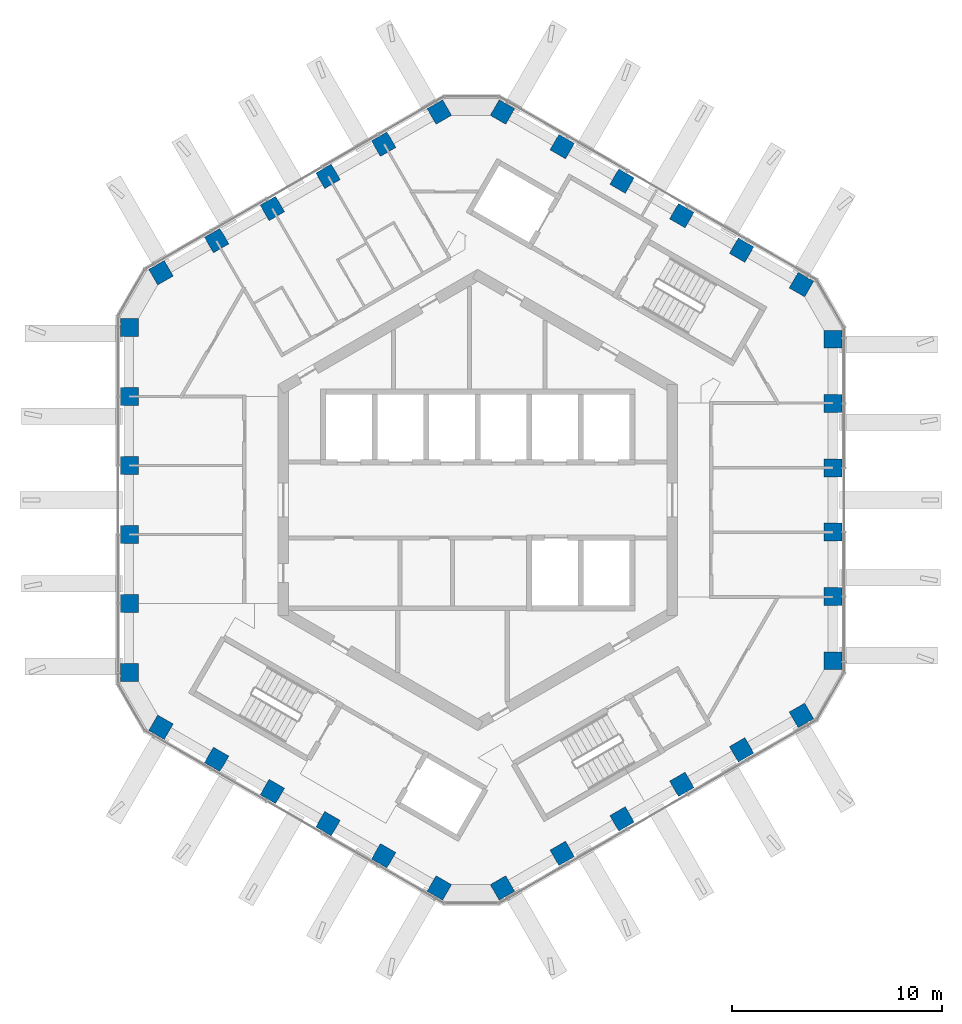
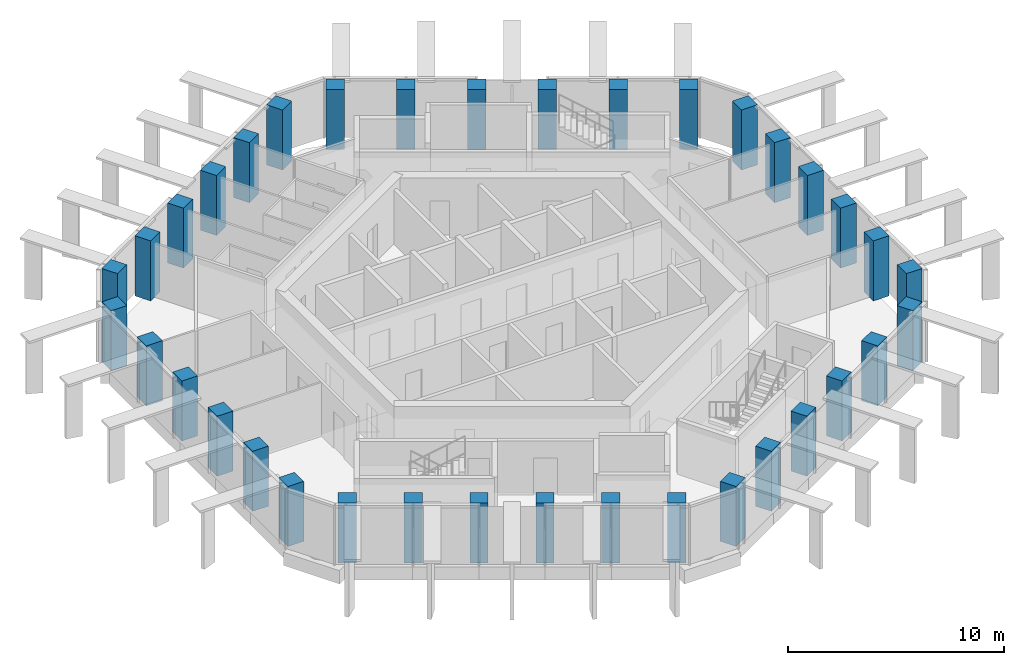
# One storey, part 1 of 19: 36 columns.
"""IFC4 building model written with IfcOpenShell, lengths in metres."""

import ifcopenshell
import ifcopenshell.guid

model = None  # the IFC model being written
_history = None  # IfcOwnerHistory: only IFC2X3 demands one
_inside = {}  # id of a spatial element -> (the spatial element, [elements in it])
_under = {}  # id of a project, library or spatial element -> (it, [spatial elements below it])
_declared = {}  # id of a project -> (the project, [libraries it declares])
_typed = {}  # id of a type object -> (the type object, [elements of that type])
_made_of = {}  # id of a material, layer set ... -> (it, [elements and type objects made of it])


def new_model(schema):
    """Start an empty IFC model of exactly this schema.

    Asked for "IFC4X3", IfcOpenShell would pick the latest addendum, in which some entities
    have other attributes; the version numbers below select the first issue.
    IFC2X3 requires an IfcOwnerHistory on every rooted entity: one is made here for all.
    """
    global model, _history
    if schema == "IFC4X3":
        model = ifcopenshell.file(schema_version=(4, 3, 0, 0))
    else:
        model = ifcopenshell.file(schema=schema)
    _inside.clear()
    _under.clear()
    _declared.clear()
    _typed.clear()
    _made_of.clear()
    _history = None
    if model.schema == "IFC2X3":
        org = make("IfcOrganization", Name="unknown")
        user = make(
            "IfcPersonAndOrganization",
            ThePerson=make("IfcPerson", FamilyName="unknown"),
            TheOrganization=org,
        )
        app = make(
            "IfcApplication",
            ApplicationDeveloper=org,
            Version="unknown",
            ApplicationFullName="unknown",
            ApplicationIdentifier="unknown",
        )
        _history = make(
            "IfcOwnerHistory",
            OwningUser=user,
            OwningApplication=app,
            ChangeAction="ADDED",
            CreationDate=0,
        )
    return model


def make(cls, **values):
    """One entity of the class cls with the attributes given. An attribute that is None is left unset."""
    return model.create_entity(
        cls, **{name: value for name, value in values.items() if value is not None}
    )


def rooted(cls, **values):
    """An entity with a GlobalId (a new one), such as an element, a storey or a relation."""
    return make(cls, GlobalId=ifcopenshell.guid.new(), OwnerHistory=_history, **values)


def si_unit(unit_type, name, prefix=None):
    """IfcSIUnit, for example si_unit("LENGTHUNIT", "METRE", prefix="MILLI")."""
    return make("IfcSIUnit", UnitType=unit_type, Prefix=prefix, Name=name)


def assignment(units):
    """IfcUnitAssignment: the units of a project."""
    return None if units is None else make("IfcUnitAssignment", Units=units)


def point(xyz):
    """IfcCartesianPoint."""
    return None if xyz is None else make("IfcCartesianPoint", Coordinates=xyz)


def direction(xyz):
    """IfcDirection."""
    return None if xyz is None else make("IfcDirection", DirectionRatios=xyz)


def frame(location, z_axis=None, x_axis=None):
    """IfcAxis2Placement3D, a coordinate frame: its origin and axes. An axis left out is left unset."""
    return make(
        "IfcAxis2Placement3D",
        Location=point(location),
        Axis=direction(z_axis),
        RefDirection=direction(x_axis),
    )


def frame_2d(location, x_axis=None):
    """IfcAxis2Placement2D, a coordinate frame in the plane: its origin and x axis."""
    return make(
        "IfcAxis2Placement2D", Location=point(location), RefDirection=direction(x_axis)
    )


def origin():
    """The frame at (0, 0, 0) with its axes left unset."""
    return frame((0.0, 0.0, 0.0))


def origin_2d():
    """The frame at (0, 0) in the plane with its x axis left unset."""
    return frame_2d((0.0, 0.0))


def place(relative_to, where):
    """IfcLocalPlacement: puts the frame where relative to a parent placement (None: the world)."""
    return make(
        "IfcLocalPlacement", PlacementRelTo=relative_to, RelativePlacement=where
    )


def context(
    kind, dimensions, precision=None, world=None, true_north=None, identifier=None
):
    """IfcGeometricRepresentationContext, for example the 3D "Model" context."""
    return make(
        "IfcGeometricRepresentationContext",
        ContextIdentifier=identifier,
        ContextType=kind,
        CoordinateSpaceDimension=dimensions,
        Precision=precision,
        WorldCoordinateSystem=world,
        TrueNorth=true_north,
    )


def subcontext(parent, identifier, kind, view, scale=None):
    """IfcGeometricRepresentationSubContext, for example "Body" below "Model"."""
    return make(
        "IfcGeometricRepresentationSubContext",
        ContextIdentifier=identifier,
        ContextType=kind,
        ParentContext=parent,
        TargetScale=scale,
        TargetView=view,
    )


def project(units=None, contexts=None):
    """IfcProject with its units and contexts."""
    return rooted(
        "IfcProject",
        Name="project",
        RepresentationContexts=contexts,
        UnitsInContext=assignment(units),
    )


def spatial(cls, under=None, at=None, **own):
    """A site, building, storey or space (cls), placed at a placement, below another one or the project."""
    s = rooted(cls, ObjectPlacement=at, **own)
    if under is not None:
        _under.setdefault(under.id(), (under, []))[1].append(s)
    return s


def profile(cls, at=None, kind="AREA", **sizes):
    """A parametric profile (cls). Its sizes go by their IFC names, for example OverallWidth=200.0."""
    return make(cls, ProfileType=kind, Position=at, **sizes)


def rectangle(**sizes):
    """IfcRectangleProfileDef."""
    return profile("IfcRectangleProfileDef", **sizes)


def extrude(swept, where, along, depth):
    """IfcExtrudedAreaSolid: the profile swept, set in the frame where, extruded along a direction by depth."""
    return make(
        "IfcExtrudedAreaSolid",
        SweptArea=swept,
        Position=where,
        ExtrudedDirection=direction(along),
        Depth=depth,
    )


def shape(context_of_items, identifier, shape_type, items):
    """IfcShapeRepresentation: the items that make up one representation, for example the "Body"."""
    return make(
        "IfcShapeRepresentation",
        ContextOfItems=context_of_items,
        RepresentationIdentifier=identifier,
        RepresentationType=shape_type,
        Items=items,
    )


def material(Name=None, Category=None):
    """IfcMaterial."""
    return make("IfcMaterial", Name=Name, Category=Category)


def material_profile(
    of_material, cross_section, Name=None, Category=None, Priority=None
):
    """IfcMaterialProfile: a cross section and its material."""
    return make(
        "IfcMaterialProfile",
        Name=Name,
        Material=of_material,
        Profile=cross_section,
        Priority=Priority,
        Category=Category,
    )


def profile_set(profiles, Name=None, composite=None):
    """IfcMaterialProfileSet."""
    return make(
        "IfcMaterialProfileSet",
        Name=Name,
        MaterialProfiles=profiles,
        CompositeProfile=composite,
    )


def made_of(thing, what):
    """Note that an element or type object is made of a material, layer set ...; save() writes the relation."""
    if what is not None:
        _made_of.setdefault(what.id(), (what, []))[1].append(thing)
    return thing


def type_object(cls, material=None, **own):
    """A type object (cls), such as IfcWallType, which elements share."""
    return made_of(rooted(cls, **own), material)


def element(
    cls,
    number,
    at=None,
    inside=None,
    cuts=None,
    type_object=None,
    material=None,
    context=None,
    identifier="Body",
    shape_type=None,
    held_by="IfcProductDefinitionShape",
    body=None,
    shapes=None,
    **own,
):
    """One element of the class cls, such as IfcWall. Its Tag is "e" and its number.

    at: its placement. inside: the storey or other place that contains it. cuts: it is an
    opening in that element (IfcRelVoidsElement). A single representation is given by context,
    identifier, shape_type and body (its items); several are given by shapes. held_by: the class
    of the entity that holds the representations. save() writes the other relations.
    """
    e = rooted(cls, Tag="e%d" % number, ObjectPlacement=at, **own)
    if body is not None:
        shapes = [shape(context, identifier, shape_type, body)]
    if shapes is not None:
        e.Representation = make(held_by, Representations=shapes)
    if inside is not None:
        _inside.setdefault(inside.id(), (inside, []))[1].append(e)
    if cuts is not None:
        rooted(
            "IfcRelVoidsElement", RelatingBuildingElement=cuts, RelatedOpeningElement=e
        )
    if type_object is not None:
        _typed.setdefault(type_object.id(), (type_object, []))[1].append(e)
    return made_of(e, material)


def aggregate(whole, parts):
    """IfcRelAggregates: a whole, such as a stair, and the parts it consists of."""
    return rooted("IfcRelAggregates", RelatingObject=whole, RelatedObjects=parts)


def save(model, path):
    """Write the relations noted so far, then the file.

    IfcRelAggregates (storeys below a building ...), IfcRelContainedInSpatialStructure (elements
    in a storey), IfcRelDefinesByType, IfcRelAssociatesMaterial and IfcRelDeclares: one each for
    every whole, place, type object, material and project.
    """
    for whole, parts in _under.values():
        aggregate(whole, parts)
    for where, things in _inside.values():
        rooted(
            "IfcRelContainedInSpatialStructure",
            RelatedElements=things,
            RelatingStructure=where,
        )
    for kind, things in _typed.values():
        rooted("IfcRelDefinesByType", RelatedObjects=things, RelatingType=kind)
    for what, things in _made_of.values():
        rooted("IfcRelAssociatesMaterial", RelatedObjects=things, RelatingMaterial=what)
    for by, libraries in _declared.values():
        rooted("IfcRelDeclares", RelatingContext=by, RelatedDefinitions=libraries)
    model.write(path)


model = new_model("IFC4")

# Units and contexts
model_context = context("Model", 3, precision=1e-05, world=origin(), true_north=direction((0.0, 1.0)))
body_context = subcontext(model_context, "Body", "Model", "MODEL_VIEW")
ifc_project = project(units=[si_unit("LENGTHUNIT", "METRE"), si_unit("AREAUNIT", "SQUARE_METRE"), si_unit("VOLUMEUNIT", "CUBIC_METRE"), si_unit("PLANEANGLEUNIT", "RADIAN"), si_unit("MASSUNIT", "GRAM", prefix="KILO")], contexts=[model_context])

# Site, building, storey
site_placement = place(None, origin())
site = spatial("IfcSite", under=ifc_project, at=site_placement, CompositionType="ELEMENT")
building_placement = place(site_placement, origin())
building = spatial("IfcBuilding", under=site, at=building_placement, Name="Ayvan Gate Tower", CompositionType="ELEMENT")
storey_placement = place(building_placement, frame((0.0, 0.0, 235.89990234375)))
storey = spatial("IfcBuildingStorey", under=building, at=storey_placement, Name="L63", CompositionType="ELEMENT", Elevation=235.89990234375)

# Columns
ifc_material = material(Name="Concrete C50/60", Category="concrete")
ifc_material_profile = material_profile(ifc_material, rectangle(XDim=0.85009765625, YDim=0.85009765625, at=origin_2d()), Name="RC 850x850")
ifc_profile_set = profile_set([ifc_material_profile], Name="Concrete C50/60")
column_type = type_object("IfcColumnType", Name="Tube column RC 850x850 C50/60", PredefinedType="COLUMN", material=ifc_profile_set)
for number, where, z_axis, x_axis, name in (
    (1, (16.887451171875, -7.64111328125, 0.0), (0.0, 0.0, 1.0), (1.0, 0.0, 0.0), "C-T0-0-L63"),
    (2, (16.887451171875, -4.584716796875, 0.0), (0.0, 0.0, 1.0), (1.0, 0.0, 0.0), "C-T0-1-L63"),
    (3, (16.887451171875, -1.5283203125, 0.0), (0.0, 0.0, 1.0), (1.0, 0.0, 0.0), "C-T0-2-L63"),
    (4, (16.887451171875, 1.5283203125, 0.0), (0.0, 0.0, 1.0), (1.0, 0.0, 0.0), "C-T0-3-L63"),
    (5, (16.887451171875, 4.584716796875, 0.0), (0.0, 0.0, 1.0), (1.0, 0.0, 0.0), "C-T0-4-L63"),
    (6, (16.887451171875, 7.64111328125, 0.0), (0.0, 0.0, 1.0), (1.0, 0.0, 0.0), "C-T0-5-L63"),
    (7, (15.387451171875, 10.239013671875, 0.0), (0.0, 0.0, 1.0), (0.5, 0.866025403784, 0.0), "C-T1-0-L63"),
    (8, (12.544677734375, 11.88037109375, 0.0), (0.0, 0.0, 1.0), (0.5, 0.866025403784, 0.0), "C-T1-1-L63"),
    (9, (9.701904296875, 13.521728515625, 0.0), (0.0, 0.0, 1.0), (0.5, 0.866025403784, 0.0), "C-T1-2-L63"),
    (10, (6.859130859375, 15.162841796875, 0.0), (0.0, 0.0, 1.0), (0.5, 0.866025403784, 0.0), "C-T1-3-L63"),
    (11, (4.016357421875, 16.80419921875, 0.0), (0.0, 0.0, 1.0), (0.5, 0.866025403784, 0.0), "C-T1-4-L63"),
    (12, (1.173583984375, 18.445556640625, 0.0), (0.0, 0.0, 1.0), (0.5, 0.866025403784, 0.0), "C-T1-5-L63"),
    (13, (-1.826416015625, 18.445556640625, 0.0), (0.0, 0.0, 1.0), (-0.5, 0.866025403784, 0.0), "C-T2-0-L63"),
    (14, (-4.473388671875, 16.917236328125, 0.0), (0.0, 0.0, 1.0), (-0.5, 0.866025403784, 0.0), "C-T2-1-L63"),
    (15, (-7.120361328125, 15.38916015625, 0.0), (0.0, 0.0, 1.0), (-0.5, 0.866025403784, 0.0), "C-T2-2-L63"),
    (16, (-9.767333984375, 13.86083984375, 0.0), (0.0, 0.0, 1.0), (-0.5, 0.866025403784, 0.0), "C-T2-3-L63"),
    (17, (-12.4140625, 12.332763671875, 0.0), (0.0, 0.0, 1.0), (-0.5, 0.866025403784, 0.0), "C-T2-4-L63"),
    (18, (-15.06103515625, 10.804443359375, 0.0), (0.0, 0.0, 1.0), (-0.5, 0.866025403784, 0.0), "C-T2-5-L63"),
    (19, (-16.56103515625, 8.206298828125, 0.0), (0.0, 0.0, 1.0), (-1.0, 0.0, 0.0), "C-T3-0-L63"),
    (20, (-16.56103515625, 4.923828125, 0.0), (0.0, 0.0, 1.0), (-1.0, 0.0, 0.0), "C-T3-1-L63"),
    (21, (-16.56103515625, 1.641357421875, 0.0), (0.0, 0.0, 1.0), (-1.0, 0.0, 0.0), "C-T3-2-L63"),
    (22, (-16.56103515625, -1.641357421875, 0.0), (0.0, 0.0, 1.0), (-1.0, 0.0, 0.0), "C-T3-3-L63"),
    (23, (-16.56103515625, -4.923828125, 0.0), (0.0, 0.0, 1.0), (-1.0, 0.0, 0.0), "C-T3-4-L63"),
    (24, (-16.56103515625, -8.206298828125, 0.0), (0.0, 0.0, 1.0), (-1.0, 0.0, 0.0), "C-T3-5-L63"),
    (25, (-15.06103515625, -10.804443359375, 0.0), (0.0, 0.0, 1.0), (-0.5, -0.866025403784, 0.0), "C-T4-0-L63"),
    (26, (-12.4140625, -12.332763671875, 0.0), (0.0, 0.0, 1.0), (-0.5, -0.866025403784, 0.0), "C-T4-1-L63"),
    (27, (-9.767333984375, -13.86083984375, 0.0), (0.0, 0.0, 1.0), (-0.5, -0.866025403784, 0.0), "C-T4-2-L63"),
    (28, (-7.120361328125, -15.38916015625, 0.0), (0.0, 0.0, 1.0), (-0.5, -0.866025403784, 0.0), "C-T4-3-L63"),
    (29, (-4.473388671875, -16.917236328125, 0.0), (0.0, 0.0, 1.0), (-0.5, -0.866025403784, 0.0), "C-T4-4-L63"),
    (30, (-1.826416015625, -18.445556640625, 0.0), (0.0, 0.0, 1.0), (-0.5, -0.866025403784, 0.0), "C-T4-5-L63"),
    (31, (1.173583984375, -18.445556640625, 0.0), (0.0, 0.0, 1.0), (0.5, -0.866025403784, 0.0), "C-T5-0-L63"),
    (32, (4.016357421875, -16.80419921875, 0.0), (0.0, 0.0, 1.0), (0.5, -0.866025403784, 0.0), "C-T5-1-L63"),
    (33, (6.859130859375, -15.162841796875, 0.0), (0.0, 0.0, 1.0), (0.5, -0.866025403784, 0.0), "C-T5-2-L63"),
    (34, (9.701904296875, -13.521728515625, 0.0), (0.0, 0.0, 1.0), (0.5, -0.866025403784, 0.0), "C-T5-3-L63"),
    (35, (12.544677734375, -11.88037109375, 0.0), (0.0, 0.0, 1.0), (0.5, -0.866025403784, 0.0), "C-T5-4-L63"),
    (36, (15.387451171875, -10.239013671875, 0.0), (0.0, 0.0, 1.0), (0.5, -0.866025403784, 0.0), "C-T5-5-L63"),
):
    element("IfcColumn", number, at=place(storey_placement, frame(where, z_axis=z_axis, x_axis=x_axis)), inside=storey, type_object=column_type, Name=name, PredefinedType="COLUMN", context=body_context, shape_type="SweptSolid", body=[
        extrude(rectangle(XDim=0.85009765625, YDim=0.85009765625, at=origin_2d()), origin(), (0.0, 0.0, 1.0), 3.400146484375),
    ])

save(model, "model.ifc")
